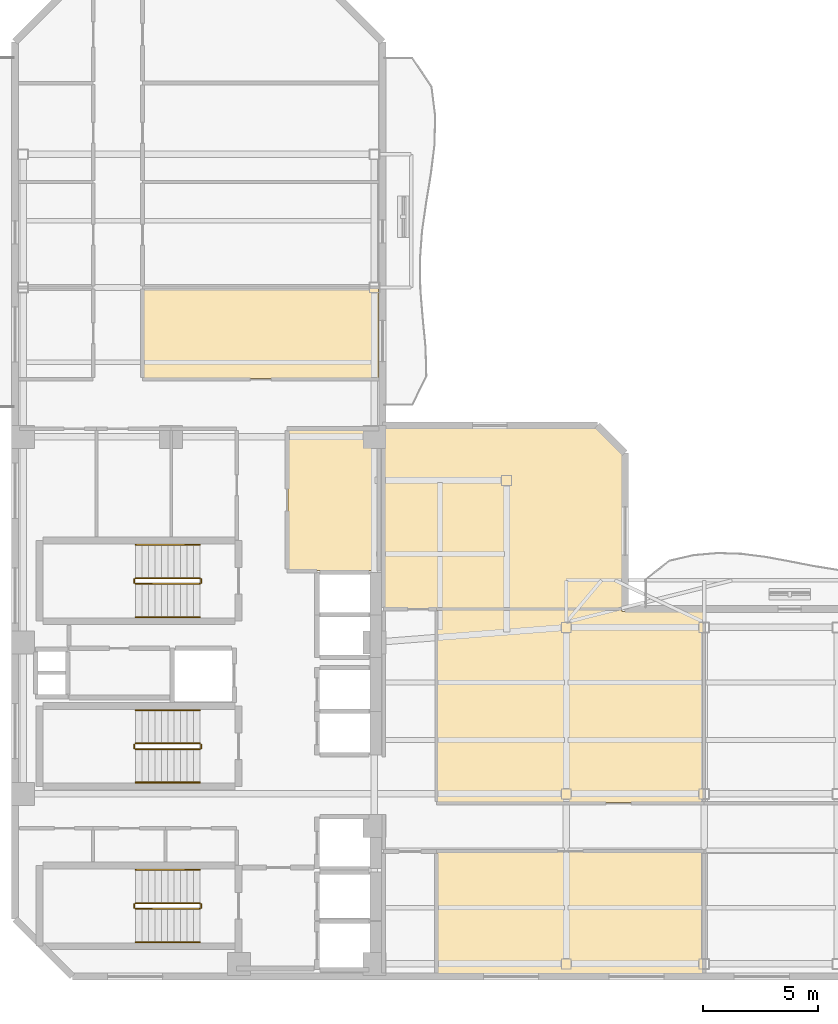
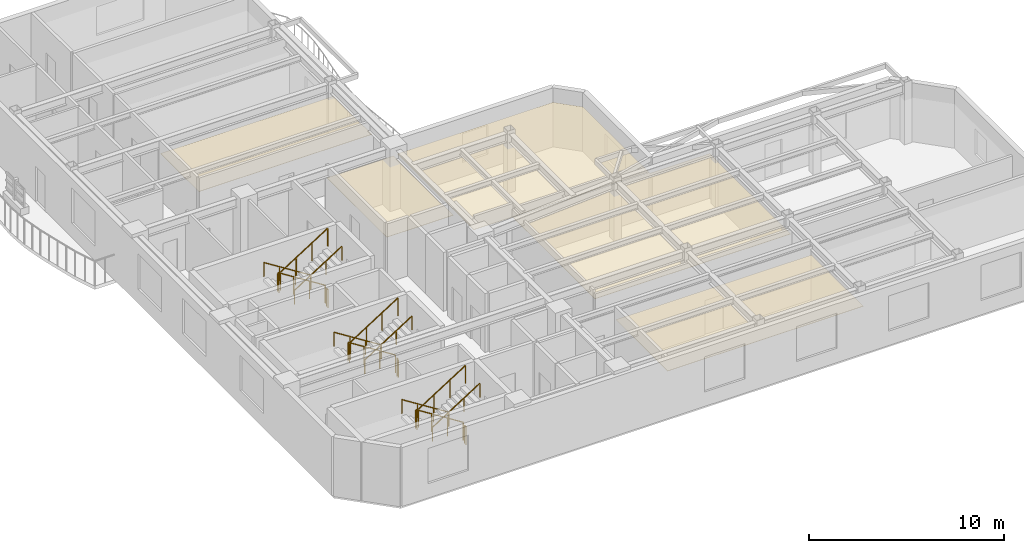
# One storey, part 7 of 8: 18 railings, 5 coverings.
"""IFC4 building model written with IfcOpenShell, lengths in metres."""

import ifcopenshell
import ifcopenshell.guid

model = None  # the IFC model being written
_history = None  # IfcOwnerHistory: only IFC2X3 demands one
_inside = {}  # id of a spatial element -> (the spatial element, [elements in it])
_under = {}  # id of a project, library or spatial element -> (it, [spatial elements below it])
_declared = {}  # id of a project -> (the project, [libraries it declares])
_typed = {}  # id of a type object -> (the type object, [elements of that type])
_made_of = {}  # id of a material, layer set ... -> (it, [elements and type objects made of it])


def new_model(schema):
    """Start an empty IFC model of exactly this schema.

    Asked for "IFC4X3", IfcOpenShell would pick the latest addendum, in which some entities
    have other attributes; the version numbers below select the first issue.
    IFC2X3 requires an IfcOwnerHistory on every rooted entity: one is made here for all.
    """
    global model, _history
    if schema == "IFC4X3":
        model = ifcopenshell.file(schema_version=(4, 3, 0, 0))
    else:
        model = ifcopenshell.file(schema=schema)
    _inside.clear()
    _under.clear()
    _declared.clear()
    _typed.clear()
    _made_of.clear()
    _history = None
    if model.schema == "IFC2X3":
        org = make("IfcOrganization", Name="unknown")
        user = make(
            "IfcPersonAndOrganization",
            ThePerson=make("IfcPerson", FamilyName="unknown"),
            TheOrganization=org,
        )
        app = make(
            "IfcApplication",
            ApplicationDeveloper=org,
            Version="unknown",
            ApplicationFullName="unknown",
            ApplicationIdentifier="unknown",
        )
        _history = make(
            "IfcOwnerHistory",
            OwningUser=user,
            OwningApplication=app,
            ChangeAction="ADDED",
            CreationDate=0,
        )
    return model


def make(cls, **values):
    """One entity of the class cls with the attributes given. An attribute that is None is left unset."""
    return model.create_entity(
        cls, **{name: value for name, value in values.items() if value is not None}
    )


def rooted(cls, **values):
    """An entity with a GlobalId (a new one), such as an element, a storey or a relation."""
    return make(cls, GlobalId=ifcopenshell.guid.new(), OwnerHistory=_history, **values)


def si_unit(unit_type, name, prefix=None):
    """IfcSIUnit, for example si_unit("LENGTHUNIT", "METRE", prefix="MILLI")."""
    return make("IfcSIUnit", UnitType=unit_type, Prefix=prefix, Name=name)


def assignment(units):
    """IfcUnitAssignment: the units of a project."""
    return None if units is None else make("IfcUnitAssignment", Units=units)


def point(xyz):
    """IfcCartesianPoint."""
    return None if xyz is None else make("IfcCartesianPoint", Coordinates=xyz)


def direction(xyz):
    """IfcDirection."""
    return None if xyz is None else make("IfcDirection", DirectionRatios=xyz)


def frame(location, z_axis=None, x_axis=None):
    """IfcAxis2Placement3D, a coordinate frame: its origin and axes. An axis left out is left unset."""
    return make(
        "IfcAxis2Placement3D",
        Location=point(location),
        Axis=direction(z_axis),
        RefDirection=direction(x_axis),
    )


def frame_2d(location, x_axis=None):
    """IfcAxis2Placement2D, a coordinate frame in the plane: its origin and x axis."""
    return make(
        "IfcAxis2Placement2D", Location=point(location), RefDirection=direction(x_axis)
    )


def origin():
    """The frame at (0, 0, 0) with its axes left unset."""
    return frame((0.0, 0.0, 0.0))


def origin_2d():
    """The frame at (0, 0) in the plane with its x axis left unset."""
    return frame_2d((0.0, 0.0))


def place(relative_to, where):
    """IfcLocalPlacement: puts the frame where relative to a parent placement (None: the world)."""
    return make(
        "IfcLocalPlacement", PlacementRelTo=relative_to, RelativePlacement=where
    )


def context(
    kind, dimensions, precision=None, world=None, true_north=None, identifier=None
):
    """IfcGeometricRepresentationContext, for example the 3D "Model" context."""
    return make(
        "IfcGeometricRepresentationContext",
        ContextIdentifier=identifier,
        ContextType=kind,
        CoordinateSpaceDimension=dimensions,
        Precision=precision,
        WorldCoordinateSystem=world,
        TrueNorth=true_north,
    )


def subcontext(parent, identifier, kind, view, scale=None):
    """IfcGeometricRepresentationSubContext, for example "Body" below "Model"."""
    return make(
        "IfcGeometricRepresentationSubContext",
        ContextIdentifier=identifier,
        ContextType=kind,
        ParentContext=parent,
        TargetScale=scale,
        TargetView=view,
    )


def project(units=None, contexts=None):
    """IfcProject with its units and contexts."""
    return rooted(
        "IfcProject",
        Name="project",
        RepresentationContexts=contexts,
        UnitsInContext=assignment(units),
    )


def spatial(cls, under=None, at=None, **own):
    """A site, building, storey or space (cls), placed at a placement, below another one or the project."""
    s = rooted(cls, ObjectPlacement=at, **own)
    if under is not None:
        _under.setdefault(under.id(), (under, []))[1].append(s)
    return s


def polyline(points):
    """IfcPolyline through the points."""
    return make("IfcPolyline", Points=[point(p) for p in points])


def profile(cls, at=None, kind="AREA", **sizes):
    """A parametric profile (cls). Its sizes go by their IFC names, for example OverallWidth=200.0."""
    return make(cls, ProfileType=kind, Position=at, **sizes)


def rectangle(**sizes):
    """IfcRectangleProfileDef."""
    return profile("IfcRectangleProfileDef", **sizes)


def outline(outer, holes=None, kind="AREA"):
    """IfcArbitraryClosedProfileDef: a profile drawn as a closed curve; with holes, ...WithVoids."""
    if holes is None:
        return make("IfcArbitraryClosedProfileDef", ProfileType=kind, OuterCurve=outer)
    return make(
        "IfcArbitraryProfileDefWithVoids",
        ProfileType=kind,
        OuterCurve=outer,
        InnerCurves=holes,
    )


def extrude(swept, where, along, depth):
    """IfcExtrudedAreaSolid: the profile swept, set in the frame where, extruded along a direction by depth."""
    return make(
        "IfcExtrudedAreaSolid",
        SweptArea=swept,
        Position=where,
        ExtrudedDirection=direction(along),
        Depth=depth,
    )


def shape(context_of_items, identifier, shape_type, items):
    """IfcShapeRepresentation: the items that make up one representation, for example the "Body"."""
    return make(
        "IfcShapeRepresentation",
        ContextOfItems=context_of_items,
        RepresentationIdentifier=identifier,
        RepresentationType=shape_type,
        Items=items,
    )


def material(Name=None, Category=None):
    """IfcMaterial."""
    return make("IfcMaterial", Name=Name, Category=Category)


def layer(
    of_material, thickness, ventilated=None, Name=None, Category=None, Priority=None
):
    """IfcMaterialLayer: one layer of a wall or slab, of a material (None: an air gap)."""
    return make(
        "IfcMaterialLayer",
        Material=of_material,
        LayerThickness=thickness,
        IsVentilated=ventilated,
        Name=Name,
        Category=Category,
        Priority=Priority,
    )


def layer_set(layers, Name=None):
    """IfcMaterialLayerSet."""
    return make("IfcMaterialLayerSet", MaterialLayers=layers, LayerSetName=Name)


def made_of(thing, what):
    """Note that an element or type object is made of a material, layer set ...; save() writes the relation."""
    if what is not None:
        _made_of.setdefault(what.id(), (what, []))[1].append(thing)
    return thing


def type_object(cls, material=None, **own):
    """A type object (cls), such as IfcWallType, which elements share."""
    return made_of(rooted(cls, **own), material)


def element(
    cls,
    number,
    at=None,
    inside=None,
    cuts=None,
    type_object=None,
    material=None,
    context=None,
    identifier="Body",
    shape_type=None,
    held_by="IfcProductDefinitionShape",
    body=None,
    shapes=None,
    **own,
):
    """One element of the class cls, such as IfcWall. Its Tag is "e" and its number.

    at: its placement. inside: the storey or other place that contains it. cuts: it is an
    opening in that element (IfcRelVoidsElement). A single representation is given by context,
    identifier, shape_type and body (its items); several are given by shapes. held_by: the class
    of the entity that holds the representations. save() writes the other relations.
    """
    e = rooted(cls, Tag="e%d" % number, ObjectPlacement=at, **own)
    if body is not None:
        shapes = [shape(context, identifier, shape_type, body)]
    if shapes is not None:
        e.Representation = make(held_by, Representations=shapes)
    if inside is not None:
        _inside.setdefault(inside.id(), (inside, []))[1].append(e)
    if cuts is not None:
        rooted(
            "IfcRelVoidsElement", RelatingBuildingElement=cuts, RelatedOpeningElement=e
        )
    if type_object is not None:
        _typed.setdefault(type_object.id(), (type_object, []))[1].append(e)
    return made_of(e, material)


def aggregate(whole, parts):
    """IfcRelAggregates: a whole, such as a stair, and the parts it consists of."""
    return rooted("IfcRelAggregates", RelatingObject=whole, RelatedObjects=parts)


def save(model, path):
    """Write the relations noted so far, then the file.

    IfcRelAggregates (storeys below a building ...), IfcRelContainedInSpatialStructure (elements
    in a storey), IfcRelDefinesByType, IfcRelAssociatesMaterial and IfcRelDeclares: one each for
    every whole, place, type object, material and project.
    """
    for whole, parts in _under.values():
        aggregate(whole, parts)
    for where, things in _inside.values():
        rooted(
            "IfcRelContainedInSpatialStructure",
            RelatedElements=things,
            RelatingStructure=where,
        )
    for kind, things in _typed.values():
        rooted("IfcRelDefinesByType", RelatedObjects=things, RelatingType=kind)
    for what, things in _made_of.values():
        rooted("IfcRelAssociatesMaterial", RelatedObjects=things, RelatingMaterial=what)
    for by, libraries in _declared.values():
        rooted("IfcRelDeclares", RelatingContext=by, RelatedDefinitions=libraries)
    model.write(path)


model = new_model("IFC4")

# Units and contexts
model_context = context("Model", 3, precision=1e-05, world=origin(), true_north=direction((0.0, 1.0)))
body_context = subcontext(model_context, "Body", "Model", "MODEL_VIEW")
ifc_project = project(units=[si_unit("LENGTHUNIT", "METRE"), si_unit("AREAUNIT", "SQUARE_METRE"), si_unit("VOLUMEUNIT", "CUBIC_METRE"), si_unit("PLANEANGLEUNIT", "RADIAN"), si_unit("MASSUNIT", "GRAM", prefix="KILO")], contexts=[model_context])

# Site, building, storey
site_placement = place(None, origin())
site = spatial("IfcSite", under=ifc_project, at=site_placement, CompositionType="ELEMENT")
building_placement = place(site_placement, origin())
building = spatial("IfcBuilding", under=site, at=building_placement, Name="Mawjaban Terraces University", CompositionType="ELEMENT")
storey_placement = place(building_placement, frame((0.0, 0.0, 191.39990234375)))
storey = spatial("IfcBuildingStorey", under=building, at=storey_placement, Name="L46", CompositionType="ELEMENT", Elevation=191.39990234375)

# Coverings
ifc_material_1 = material(Name="Acoustic mineral fibre ceiling tile", Category="masonry")
ifc_layer = layer(ifc_material_1, 0.02001953125)
ifc_layer_set = layer_set([ifc_layer], Name="Acoustic mineral fibre ceiling tile")
covering_type = type_object("IfcCoveringType", Name="AcousticMineralCeiling_20", PredefinedType="CEILING", material=ifc_layer_set)
covering_1_placement = place(storey_placement, frame((0.0, 0.0, 2.75)))
element("IfcCovering", 1, at=covering_1_placement, inside=storey, type_object=covering_type, Name="L46 Graduate Research Collaboration Studio Acoustic Ceiling", PredefinedType="CEILING", context=body_context, shape_type="SweptSolid", body=[
    extrude(outline(polyline([(37.820068359375, 17.679931640625), (37.820068359375, 23.820068359375), (33.8798828125, 23.820068359375), (33.8798828125, 17.679931640625), (37.820068359375, 17.679931640625)])), origin(), (0.0, 0.0, 1.0), 0.02001953125),
])
covering_2_placement = place(storey_placement, frame((0.0, 0.0, 2.75)))
element("IfcCovering", 2, at=covering_2_placement, inside=storey, type_object=covering_type, Name="L46 Computational Laboratory 2 Acoustic Ceiling", PredefinedType="CEILING", context=body_context, shape_type="SweptSolid", body=[
    extrude(outline(polyline([(40.3798828125, 0.114990234375), (51.969970703125, 0.114990234375), (51.969970703125, 5.419921875), (40.3798828125, 5.419921875), (40.3798828125, 0.114990234375)])), origin(), (0.0, 0.0, 1.0), 0.02001953125),
])
covering_3_placement = place(storey_placement, frame((0.0, 0.0, 2.75)))
element("IfcCovering", 3, at=covering_3_placement, inside=storey, type_object=covering_type, Name="L46 Teaching Laboratory 3 Acoustic Ceiling", PredefinedType="CEILING", context=body_context, shape_type="SweptSolid", body=[
    extrude(outline(polyline([(51.969970703125, 15.885009765625), (48.43505859375, 15.885009765625), (48.43505859375, 15.969970703125), (40.3798828125, 15.969970703125), (40.3798828125, 7.580078125), (51.969970703125, 7.580078125), (51.969970703125, 15.885009765625)])), origin(), (0.0, 0.0, 1.0), 0.02001953125),
])
covering_4_placement = place(storey_placement, frame((0.0, 0.0, 2.75)))
element("IfcCovering", 4, at=covering_4_placement, inside=storey, type_object=covering_type, Name="L46 Academic Workspace 7 Acoustic Ceiling", PredefinedType="CEILING", context=body_context, shape_type="SweptSolid", body=[
    extrude(outline(polyline([(37.820068359375, 26.030029296875), (37.820068359375, 29.969970703125), (27.580078125, 29.969970703125), (27.580078125, 26.030029296875), (37.820068359375, 26.030029296875)])), origin(), (0.0, 0.0, 1.0), 0.02001953125),
])
covering_5_placement = place(storey_placement, frame((0.0, 0.0, 2.75)))
element("IfcCovering", 5, at=covering_5_placement, inside=storey, type_object=covering_type, Name="L46 Terrace Collaborative Study Room Acoustic Ceiling", PredefinedType="CEILING", context=body_context, shape_type="SweptSolid", body=[
    extrude(outline(polyline([(48.43505859375, 16.030029296875), (48.43505859375, 22.740966796875), (47.302978515625, 23.873046875), (38.080078125, 23.873046875), (38.080078125, 16.030029296875), (48.43505859375, 16.030029296875)])), origin(), (0.0, 0.0, 1.0), 0.02001953125),
])

# Railings
ifc_material_2 = material(Name="Brushed stainless steel 316", Category="steel")
railing_type_1 = type_object("IfcRailingType", Name="StairWallHandrail_900", PredefinedType="HANDRAIL", material=ifc_material_2)
railing_1_placement = place(storey_placement, frame((30.050048828125, 4.64990234375, 0.177490234375)))
element("IfcRailing", 6, at=railing_1_placement, inside=storey, type_object=railing_type_1, Name="L46 ST-1 stair handrail 1", PredefinedType="HANDRAIL", context=body_context, shape_type="SweptSolid", body=[
    extrude(rectangle(XDim=0.048095703125, YDim=0.048095703125, at=origin_2d()), frame((0.0, 0.0, 0.8759765625), z_axis=(-0.844908973607, 0.0, 0.534910110503), x_axis=(0.0, -1.0, 0.0)), (0.0, 0.0, 1.0), 3.31396484375),
    extrude(rectangle(XDim=0.0419921875, YDim=0.0419921875, at=origin_2d()), origin(), (0.0, 0.0, 1.0), 0.851806640625),
    extrude(rectangle(XDim=0.0419921875, YDim=0.0419921875, at=origin_2d()), frame((-0.933349609375, 0.0, 0.5908203125)), (0.0, 0.0, 1.0), 0.851806640625),
    extrude(rectangle(XDim=0.0419921875, YDim=0.0419921875, at=origin_2d()), frame((-1.86669921875, 0.0, 1.181884765625)), (0.0, 0.0, 1.0), 0.851806640625),
    extrude(rectangle(XDim=0.0419921875, YDim=0.0419921875, at=origin_2d()), frame((-2.800048828125, 0.0, 1.772705078125)), (0.0, 0.0, 1.0), 0.851806640625),
])
railing_2_placement = place(storey_placement, frame((27.25, 1.5, 2.12744140625)))
element("IfcRailing", 7, at=railing_2_placement, inside=storey, type_object=railing_type_1, Name="L46 ST-1 stair handrail 2", PredefinedType="HANDRAIL", context=body_context, shape_type="SweptSolid", body=[
    extrude(rectangle(XDim=0.048095703125, YDim=0.048095703125, at=origin_2d()), frame((0.0, 0.0, 0.8759765625), z_axis=(0.844908973607, 0.0, 0.534910110503), x_axis=(0.0, 1.0, 0.0)), (0.0, 0.0, 1.0), 3.31396484375),
    extrude(rectangle(XDim=0.0419921875, YDim=0.0419921875, at=origin_2d()), origin(), (0.0, 0.0, 1.0), 0.851806640625),
    extrude(rectangle(XDim=0.0419921875, YDim=0.0419921875, at=origin_2d()), frame((0.933349609375, 0.0, 0.5908203125)), (0.0, 0.0, 1.0), 0.851806640625),
    extrude(rectangle(XDim=0.0419921875, YDim=0.0419921875, at=origin_2d()), frame((1.86669921875, 0.0, 1.181884765625)), (0.0, 0.0, 1.0), 0.851806640625),
    extrude(rectangle(XDim=0.0419921875, YDim=0.0419921875, at=origin_2d()), frame((2.800048828125, 0.0, 1.772705078125)), (0.0, 0.0, 1.0), 0.851806640625),
])
railing_3_placement = place(storey_placement, frame((30.050048828125, 18.800048828125, 0.177490234375)))
element("IfcRailing", 8, at=railing_3_placement, inside=storey, type_object=railing_type_1, Name="L46 ST-2 stair handrail 1", PredefinedType="HANDRAIL", context=body_context, shape_type="SweptSolid", body=[
    extrude(rectangle(XDim=0.048095703125, YDim=0.048095703125, at=origin_2d()), frame((0.0, 0.0, 0.8759765625), z_axis=(-0.844908973607, 0.0, 0.534910110503), x_axis=(0.0, -1.0, 0.0)), (0.0, 0.0, 1.0), 3.31396484375),
    extrude(rectangle(XDim=0.0419921875, YDim=0.0419921875, at=origin_2d()), origin(), (0.0, 0.0, 1.0), 0.851806640625),
    extrude(rectangle(XDim=0.0419921875, YDim=0.0419921875, at=origin_2d()), frame((-0.933349609375, 0.0, 0.5908203125)), (0.0, 0.0, 1.0), 0.851806640625),
    extrude(rectangle(XDim=0.0419921875, YDim=0.0419921875, at=origin_2d()), frame((-1.86669921875, 0.0, 1.181884765625)), (0.0, 0.0, 1.0), 0.851806640625),
    extrude(rectangle(XDim=0.0419921875, YDim=0.0419921875, at=origin_2d()), frame((-2.800048828125, 0.0, 1.772705078125)), (0.0, 0.0, 1.0), 0.851806640625),
])
railing_4_placement = place(storey_placement, frame((27.25, 15.64990234375, 2.12744140625)))
element("IfcRailing", 9, at=railing_4_placement, inside=storey, type_object=railing_type_1, Name="L46 ST-2 stair handrail 2", PredefinedType="HANDRAIL", context=body_context, shape_type="SweptSolid", body=[
    extrude(rectangle(XDim=0.048095703125, YDim=0.048095703125, at=origin_2d()), frame((0.0, 0.0, 0.8759765625), z_axis=(0.844908973607, 0.0, 0.534910110503), x_axis=(0.0, 1.0, 0.0)), (0.0, 0.0, 1.0), 3.31396484375),
    extrude(rectangle(XDim=0.0419921875, YDim=0.0419921875, at=origin_2d()), origin(), (0.0, 0.0, 1.0), 0.851806640625),
    extrude(rectangle(XDim=0.0419921875, YDim=0.0419921875, at=origin_2d()), frame((0.933349609375, 0.0, 0.5908203125)), (0.0, 0.0, 1.0), 0.851806640625),
    extrude(rectangle(XDim=0.0419921875, YDim=0.0419921875, at=origin_2d()), frame((1.86669921875, 0.0, 1.181884765625)), (0.0, 0.0, 1.0), 0.851806640625),
    extrude(rectangle(XDim=0.0419921875, YDim=0.0419921875, at=origin_2d()), frame((2.800048828125, 0.0, 1.772705078125)), (0.0, 0.0, 1.0), 0.851806640625),
])
railing_5_placement = place(storey_placement, frame((30.050048828125, 11.60009765625, 0.177490234375)))
element("IfcRailing", 10, at=railing_5_placement, inside=storey, type_object=railing_type_1, Name="L46 ST-3 stair handrail 1", PredefinedType="HANDRAIL", context=body_context, shape_type="SweptSolid", body=[
    extrude(rectangle(XDim=0.048095703125, YDim=0.048095703125, at=origin_2d()), frame((0.0, 0.0, 0.8759765625), z_axis=(-0.844908973607, 0.0, 0.534910110503), x_axis=(0.0, -1.0, 0.0)), (0.0, 0.0, 1.0), 3.31396484375),
    extrude(rectangle(XDim=0.0419921875, YDim=0.0419921875, at=origin_2d()), origin(), (0.0, 0.0, 1.0), 0.851806640625),
    extrude(rectangle(XDim=0.0419921875, YDim=0.0419921875, at=origin_2d()), frame((-0.933349609375, 0.0, 0.5908203125)), (0.0, 0.0, 1.0), 0.851806640625),
    extrude(rectangle(XDim=0.0419921875, YDim=0.0419921875, at=origin_2d()), frame((-1.86669921875, 0.0, 1.181884765625)), (0.0, 0.0, 1.0), 0.851806640625),
    extrude(rectangle(XDim=0.0419921875, YDim=0.0419921875, at=origin_2d()), frame((-2.800048828125, 0.0, 1.772705078125)), (0.0, 0.0, 1.0), 0.851806640625),
])
railing_6_placement = place(storey_placement, frame((27.25, 8.449951171875, 2.12744140625)))
element("IfcRailing", 11, at=railing_6_placement, inside=storey, type_object=railing_type_1, Name="L46 ST-3 stair handrail 2", PredefinedType="HANDRAIL", context=body_context, shape_type="SweptSolid", body=[
    extrude(rectangle(XDim=0.048095703125, YDim=0.048095703125, at=origin_2d()), frame((0.0, 0.0, 0.8759765625), z_axis=(0.844908973607, 0.0, 0.534910110503), x_axis=(0.0, 1.0, 0.0)), (0.0, 0.0, 1.0), 3.31396484375),
    extrude(rectangle(XDim=0.0419921875, YDim=0.0419921875, at=origin_2d()), origin(), (0.0, 0.0, 1.0), 0.851806640625),
    extrude(rectangle(XDim=0.0419921875, YDim=0.0419921875, at=origin_2d()), frame((0.933349609375, 0.0, 0.5908203125)), (0.0, 0.0, 1.0), 0.851806640625),
    extrude(rectangle(XDim=0.0419921875, YDim=0.0419921875, at=origin_2d()), frame((1.86669921875, 0.0, 1.181884765625)), (0.0, 0.0, 1.0), 0.851806640625),
    extrude(rectangle(XDim=0.0419921875, YDim=0.0419921875, at=origin_2d()), frame((2.800048828125, 0.0, 1.772705078125)), (0.0, 0.0, 1.0), 0.851806640625),
])
ifc_material_3 = material(Name="Galvanised painted steel S355", Category="steel")
railing_type_2 = type_object("IfcRailingType", Name="StairWellGuard_1150", PredefinedType="BALUSTRADE", material=ifc_material_3)
railing_7_placement = place(storey_placement, frame((30.050048828125, 3.199951171875, 0.177490234375)))
element("IfcRailing", 12, at=railing_7_placement, inside=storey, type_object=railing_type_2, Name="L46 ST-1 stair guard 1", PredefinedType="BALUSTRADE", context=body_context, shape_type="SweptSolid", body=[
    extrude(rectangle(XDim=0.048095703125, YDim=0.048095703125, at=origin_2d()), frame((0.0, 0.0, 1.1259765625), z_axis=(-0.844908973607, 0.0, 0.534910110503), x_axis=(0.0, -1.0, 0.0)), (0.0, 0.0, 1.0), 3.31396484375),
    extrude(rectangle(XDim=0.0419921875, YDim=0.0419921875, at=origin_2d()), origin(), (0.0, 0.0, 1.0), 1.101806640625),
    extrude(rectangle(XDim=0.0419921875, YDim=0.0419921875, at=origin_2d()), frame((-0.933349609375, 0.0, 0.5908203125)), (0.0, 0.0, 1.0), 1.101806640625),
    extrude(rectangle(XDim=0.0419921875, YDim=0.0419921875, at=origin_2d()), frame((-1.86669921875, 0.0, 1.181884765625)), (0.0, 0.0, 1.0), 1.101806640625),
    extrude(rectangle(XDim=0.0419921875, YDim=0.0419921875, at=origin_2d()), frame((-2.800048828125, 0.0, 1.772705078125)), (0.0, 0.0, 1.0), 1.101806640625),
])
railing_8_placement = place(storey_placement, frame((27.199951171875, 3.14990234375, 1.9501953125)))
element("IfcRailing", 13, at=railing_8_placement, inside=storey, type_object=railing_type_2, Name="L46 ST-1 stair guard 2", PredefinedType="BALUSTRADE", context=body_context, shape_type="SweptSolid", body=[
    extrude(rectangle(XDim=0.048095703125, YDim=0.048095703125, at=origin_2d()), frame((0.0, 0.0, 1.1259765625), z_axis=(0.0, -1.0, 0.0), x_axis=(1.0, 0.0, 0.0)), (0.0, 0.0, 1.0), 0.14990234375),
    extrude(rectangle(XDim=0.0419921875, YDim=0.0419921875, at=origin_2d()), origin(), (0.0, 0.0, 1.0), 1.101806640625),
    extrude(rectangle(XDim=0.0419921875, YDim=0.0419921875, at=origin_2d()), frame((0.0, -0.14990234375, 0.0)), (0.0, 0.0, 1.0), 1.101806640625),
])
railing_9_placement = place(storey_placement, frame((27.25, 2.949951171875, 2.12744140625)))
element("IfcRailing", 14, at=railing_9_placement, inside=storey, type_object=railing_type_2, Name="L46 ST-1 stair guard 3", PredefinedType="BALUSTRADE", context=body_context, shape_type="SweptSolid", body=[
    extrude(rectangle(XDim=0.048095703125, YDim=0.048095703125, at=origin_2d()), frame((0.0, 0.0, 1.1259765625), z_axis=(0.844908973607, 0.0, 0.534910110503), x_axis=(0.0, 1.0, 0.0)), (0.0, 0.0, 1.0), 3.31396484375),
    extrude(rectangle(XDim=0.0419921875, YDim=0.0419921875, at=origin_2d()), origin(), (0.0, 0.0, 1.0), 1.101806640625),
    extrude(rectangle(XDim=0.0419921875, YDim=0.0419921875, at=origin_2d()), frame((0.933349609375, 0.0, 0.5908203125)), (0.0, 0.0, 1.0), 1.101806640625),
    extrude(rectangle(XDim=0.0419921875, YDim=0.0419921875, at=origin_2d()), frame((1.86669921875, 0.0, 1.181884765625)), (0.0, 0.0, 1.0), 1.101806640625),
    extrude(rectangle(XDim=0.0419921875, YDim=0.0419921875, at=origin_2d()), frame((2.800048828125, 0.0, 1.772705078125)), (0.0, 0.0, 1.0), 1.101806640625),
])
railing_10_placement = place(storey_placement, frame((30.10009765625, 3.14990234375, 0.0)))
element("IfcRailing", 15, at=railing_10_placement, inside=storey, type_object=railing_type_2, Name="L46 ST-1 stair guard 4", PredefinedType="BALUSTRADE", context=body_context, shape_type="SweptSolid", body=[
    extrude(rectangle(XDim=0.048095703125, YDim=0.048095703125, at=origin_2d()), frame((0.0, 0.0, 1.1259765625), z_axis=(0.0, -1.0, 0.0), x_axis=(1.0, 0.0, 0.0)), (0.0, 0.0, 1.0), 0.14990234375),
    extrude(rectangle(XDim=0.0419921875, YDim=0.0419921875, at=origin_2d()), origin(), (0.0, 0.0, 1.0), 1.101806640625),
    extrude(rectangle(XDim=0.0419921875, YDim=0.0419921875, at=origin_2d()), frame((0.0, -0.14990234375, 0.0)), (0.0, 0.0, 1.0), 1.101806640625),
])
railing_11_placement = place(storey_placement, frame((30.050048828125, 17.35009765625, 0.177490234375)))
element("IfcRailing", 16, at=railing_11_placement, inside=storey, type_object=railing_type_2, Name="L46 ST-2 stair guard 1", PredefinedType="BALUSTRADE", context=body_context, shape_type="SweptSolid", body=[
    extrude(rectangle(XDim=0.048095703125, YDim=0.048095703125, at=origin_2d()), frame((0.0, 0.0, 1.1259765625), z_axis=(-0.844908973607, 0.0, 0.534910110503), x_axis=(0.0, -1.0, 0.0)), (0.0, 0.0, 1.0), 3.31396484375),
    extrude(rectangle(XDim=0.0419921875, YDim=0.0419921875, at=origin_2d()), origin(), (0.0, 0.0, 1.0), 1.101806640625),
    extrude(rectangle(XDim=0.0419921875, YDim=0.0419921875, at=origin_2d()), frame((-0.933349609375, 0.0, 0.5908203125)), (0.0, 0.0, 1.0), 1.101806640625),
    extrude(rectangle(XDim=0.0419921875, YDim=0.0419921875, at=origin_2d()), frame((-1.86669921875, 0.0, 1.181884765625)), (0.0, 0.0, 1.0), 1.101806640625),
    extrude(rectangle(XDim=0.0419921875, YDim=0.0419921875, at=origin_2d()), frame((-2.800048828125, 0.0, 1.772705078125)), (0.0, 0.0, 1.0), 1.101806640625),
])
railing_12_placement = place(storey_placement, frame((27.199951171875, 17.300048828125, 1.9501953125)))
element("IfcRailing", 17, at=railing_12_placement, inside=storey, type_object=railing_type_2, Name="L46 ST-2 stair guard 2", PredefinedType="BALUSTRADE", context=body_context, shape_type="SweptSolid", body=[
    extrude(rectangle(XDim=0.048095703125, YDim=0.048095703125, at=origin_2d()), frame((0.0, 0.0, 1.1259765625), z_axis=(0.0, -1.0, 0.0), x_axis=(1.0, 0.0, 0.0)), (0.0, 0.0, 1.0), 0.150146484375),
    extrude(rectangle(XDim=0.0419921875, YDim=0.0419921875, at=origin_2d()), origin(), (0.0, 0.0, 1.0), 1.101806640625),
    extrude(rectangle(XDim=0.0419921875, YDim=0.0419921875, at=origin_2d()), frame((0.0, -0.150146484375, 0.0)), (0.0, 0.0, 1.0), 1.101806640625),
])
railing_13_placement = place(storey_placement, frame((27.25, 17.10009765625, 2.12744140625)))
element("IfcRailing", 18, at=railing_13_placement, inside=storey, type_object=railing_type_2, Name="L46 ST-2 stair guard 3", PredefinedType="BALUSTRADE", context=body_context, shape_type="SweptSolid", body=[
    extrude(rectangle(XDim=0.048095703125, YDim=0.048095703125, at=origin_2d()), frame((0.0, 0.0, 1.1259765625), z_axis=(0.844908973607, 0.0, 0.534910110503), x_axis=(0.0, 1.0, 0.0)), (0.0, 0.0, 1.0), 3.31396484375),
    extrude(rectangle(XDim=0.0419921875, YDim=0.0419921875, at=origin_2d()), origin(), (0.0, 0.0, 1.0), 1.101806640625),
    extrude(rectangle(XDim=0.0419921875, YDim=0.0419921875, at=origin_2d()), frame((0.933349609375, 0.0, 0.5908203125)), (0.0, 0.0, 1.0), 1.101806640625),
    extrude(rectangle(XDim=0.0419921875, YDim=0.0419921875, at=origin_2d()), frame((1.86669921875, 0.0, 1.181884765625)), (0.0, 0.0, 1.0), 1.101806640625),
    extrude(rectangle(XDim=0.0419921875, YDim=0.0419921875, at=origin_2d()), frame((2.800048828125, 0.0, 1.772705078125)), (0.0, 0.0, 1.0), 1.101806640625),
])
railing_14_placement = place(storey_placement, frame((30.10009765625, 17.300048828125, 0.0)))
element("IfcRailing", 19, at=railing_14_placement, inside=storey, type_object=railing_type_2, Name="L46 ST-2 stair guard 4", PredefinedType="BALUSTRADE", context=body_context, shape_type="SweptSolid", body=[
    extrude(rectangle(XDim=0.048095703125, YDim=0.048095703125, at=origin_2d()), frame((0.0, 0.0, 1.1259765625), z_axis=(0.0, -1.0, 0.0), x_axis=(1.0, 0.0, 0.0)), (0.0, 0.0, 1.0), 0.150146484375),
    extrude(rectangle(XDim=0.0419921875, YDim=0.0419921875, at=origin_2d()), origin(), (0.0, 0.0, 1.0), 1.101806640625),
    extrude(rectangle(XDim=0.0419921875, YDim=0.0419921875, at=origin_2d()), frame((0.0, -0.150146484375, 0.0)), (0.0, 0.0, 1.0), 1.101806640625),
])
railing_15_placement = place(storey_placement, frame((30.050048828125, 10.14990234375, 0.177490234375)))
element("IfcRailing", 20, at=railing_15_placement, inside=storey, type_object=railing_type_2, Name="L46 ST-3 stair guard 1", PredefinedType="BALUSTRADE", context=body_context, shape_type="SweptSolid", body=[
    extrude(rectangle(XDim=0.048095703125, YDim=0.048095703125, at=origin_2d()), frame((0.0, 0.0, 1.1259765625), z_axis=(-0.844908973607, 0.0, 0.534910110503), x_axis=(0.0, -1.0, 0.0)), (0.0, 0.0, 1.0), 3.31396484375),
    extrude(rectangle(XDim=0.0419921875, YDim=0.0419921875, at=origin_2d()), origin(), (0.0, 0.0, 1.0), 1.101806640625),
    extrude(rectangle(XDim=0.0419921875, YDim=0.0419921875, at=origin_2d()), frame((-0.933349609375, 0.0, 0.5908203125)), (0.0, 0.0, 1.0), 1.101806640625),
    extrude(rectangle(XDim=0.0419921875, YDim=0.0419921875, at=origin_2d()), frame((-1.86669921875, 0.0, 1.181884765625)), (0.0, 0.0, 1.0), 1.101806640625),
    extrude(rectangle(XDim=0.0419921875, YDim=0.0419921875, at=origin_2d()), frame((-2.800048828125, 0.0, 1.772705078125)), (0.0, 0.0, 1.0), 1.101806640625),
])
railing_16_placement = place(storey_placement, frame((27.199951171875, 10.10009765625, 1.9501953125)))
element("IfcRailing", 21, at=railing_16_placement, inside=storey, type_object=railing_type_2, Name="L46 ST-3 stair guard 2", PredefinedType="BALUSTRADE", context=body_context, shape_type="SweptSolid", body=[
    extrude(rectangle(XDim=0.048095703125, YDim=0.048095703125, at=origin_2d()), frame((0.0, 0.0, 1.1259765625), z_axis=(0.0, -1.0, 0.0), x_axis=(1.0, 0.0, 0.0)), (0.0, 0.0, 1.0), 0.150146484375),
    extrude(rectangle(XDim=0.0419921875, YDim=0.0419921875, at=origin_2d()), origin(), (0.0, 0.0, 1.0), 1.101806640625),
    extrude(rectangle(XDim=0.0419921875, YDim=0.0419921875, at=origin_2d()), frame((0.0, -0.150146484375, 0.0)), (0.0, 0.0, 1.0), 1.101806640625),
])
railing_17_placement = place(storey_placement, frame((27.25, 9.89990234375, 2.12744140625)))
element("IfcRailing", 22, at=railing_17_placement, inside=storey, type_object=railing_type_2, Name="L46 ST-3 stair guard 3", PredefinedType="BALUSTRADE", context=body_context, shape_type="SweptSolid", body=[
    extrude(rectangle(XDim=0.048095703125, YDim=0.048095703125, at=origin_2d()), frame((0.0, 0.0, 1.1259765625), z_axis=(0.844908973607, 0.0, 0.534910110503), x_axis=(0.0, 1.0, 0.0)), (0.0, 0.0, 1.0), 3.31396484375),
    extrude(rectangle(XDim=0.0419921875, YDim=0.0419921875, at=origin_2d()), origin(), (0.0, 0.0, 1.0), 1.101806640625),
    extrude(rectangle(XDim=0.0419921875, YDim=0.0419921875, at=origin_2d()), frame((0.933349609375, 0.0, 0.5908203125)), (0.0, 0.0, 1.0), 1.101806640625),
    extrude(rectangle(XDim=0.0419921875, YDim=0.0419921875, at=origin_2d()), frame((1.86669921875, 0.0, 1.181884765625)), (0.0, 0.0, 1.0), 1.101806640625),
    extrude(rectangle(XDim=0.0419921875, YDim=0.0419921875, at=origin_2d()), frame((2.800048828125, 0.0, 1.772705078125)), (0.0, 0.0, 1.0), 1.101806640625),
])
railing_18_placement = place(storey_placement, frame((30.10009765625, 10.10009765625, 0.0)))
element("IfcRailing", 23, at=railing_18_placement, inside=storey, type_object=railing_type_2, Name="L46 ST-3 stair guard 4", PredefinedType="BALUSTRADE", context=body_context, shape_type="SweptSolid", body=[
    extrude(rectangle(XDim=0.048095703125, YDim=0.048095703125, at=origin_2d()), frame((0.0, 0.0, 1.1259765625), z_axis=(0.0, -1.0, 0.0), x_axis=(1.0, 0.0, 0.0)), (0.0, 0.0, 1.0), 0.150146484375),
    extrude(rectangle(XDim=0.0419921875, YDim=0.0419921875, at=origin_2d()), origin(), (0.0, 0.0, 1.0), 1.101806640625),
    extrude(rectangle(XDim=0.0419921875, YDim=0.0419921875, at=origin_2d()), frame((0.0, -0.150146484375, 0.0)), (0.0, 0.0, 1.0), 1.101806640625),
])

save(model, "model.ifc")
